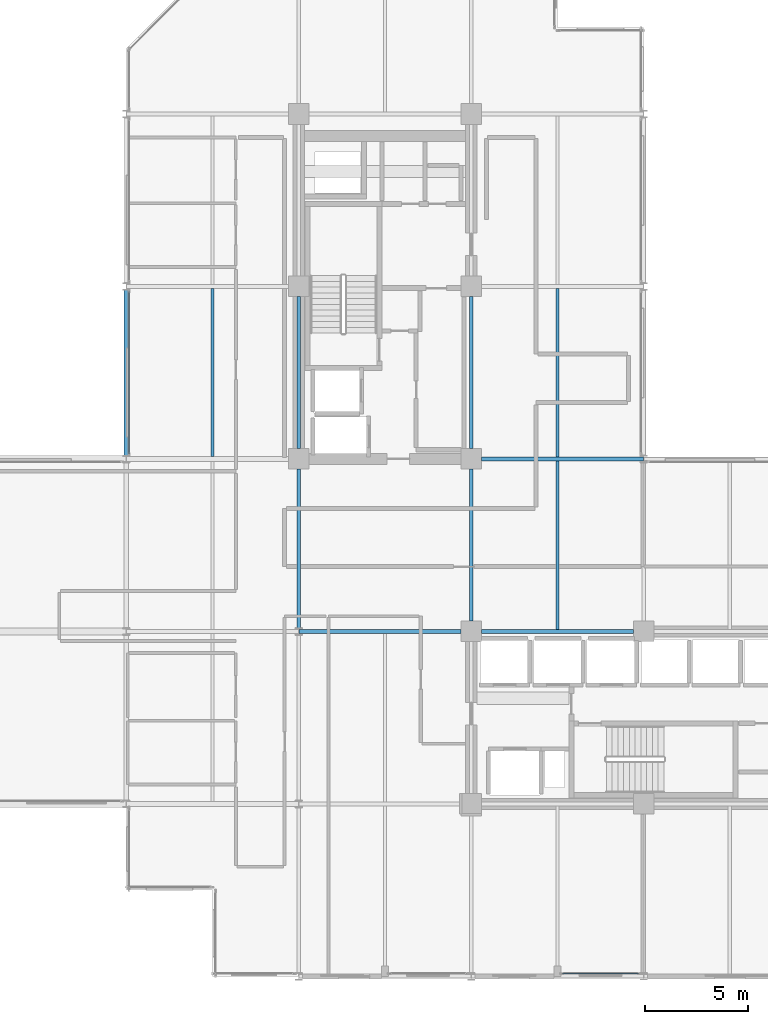
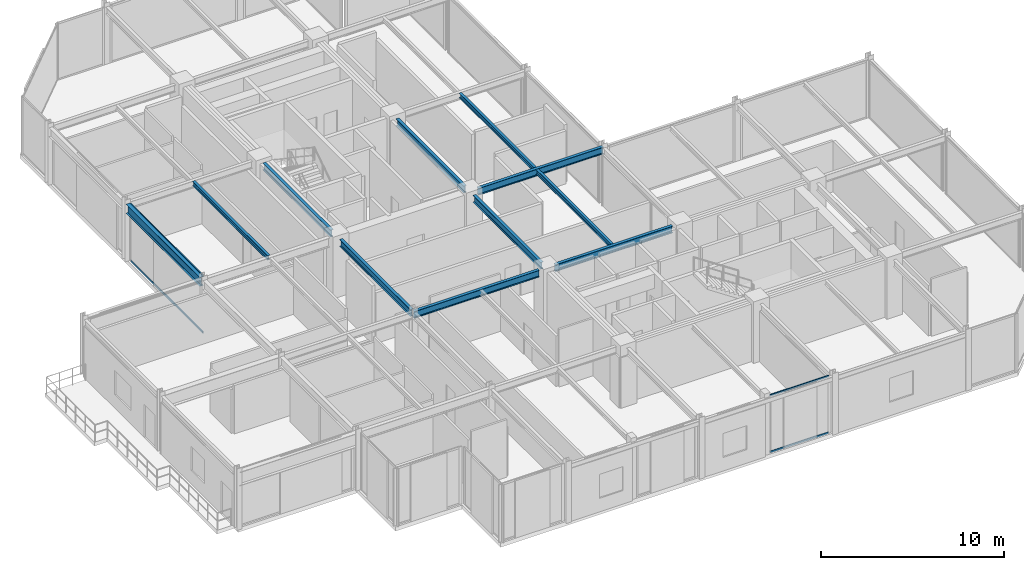
# One storey, part 10 of 29: 11 beams, 4 members, 2 elements without a shape of their own.
"""IFC4 building model written with IfcOpenShell, lengths in metres."""

from ifc_helpers import new_model, si_unit, direction, frame, origin, origin_2d, place, context, subcontext, project, spatial, hollow_rectangle, i_section, extrude, material, layer, layer_set, material_profile, profile_set, type_object, element, aggregate, save


model = new_model("IFC4")

# Units and contexts
model_context = context("Model", 3, precision=1e-05, world=origin(), true_north=direction((0.0, 1.0)))
body_context = subcontext(model_context, "Body", "Model", "MODEL_VIEW")
ifc_project = project(units=[si_unit("LENGTHUNIT", "METRE"), si_unit("AREAUNIT", "SQUARE_METRE"), si_unit("VOLUMEUNIT", "CUBIC_METRE"), si_unit("PLANEANGLEUNIT", "RADIAN"), si_unit("MASSUNIT", "GRAM", prefix="KILO")], contexts=[model_context])

# Site, building, storey
site_placement = place(None, origin())
site = spatial("IfcSite", under=ifc_project, at=site_placement, CompositionType="ELEMENT")
building_placement = place(site_placement, origin())
building = spatial("IfcBuilding", under=site, at=building_placement, Name="Nerrivon Quay Data Exchange", CompositionType="ELEMENT")
storey_placement = place(building_placement, frame((0.0, 0.0, 187.800048828125)))
storey = spatial("IfcBuildingStorey", under=building, at=storey_placement, Name="L44", CompositionType="ELEMENT", Elevation=187.800048828125)

# Beams
ifc_material_1 = material(Name="Steel Grade 350", Category="steel")
ifc_material_profile_1 = material_profile(ifc_material_1, i_section(OverallWidth=0.22802734375, OverallDepth=0.60205078125, WebThickness=0.010498046875, FlangeThickness=0.014892578125, FilletRadius=0.013916015625, at=origin_2d()), Name="610UB101")
ifc_profile_set_1 = profile_set([ifc_material_profile_1], Name="Steel Grade 350")
beam_type_1 = type_object("IfcBeamType", Name="BM-G2-610UB101", PredefinedType="BEAM", material=ifc_profile_set_1)
beam_1_placement = place(storey_placement, frame((0.0, 25.375, 3.52392578125), z_axis=(0.0, 1.0, 0.0), x_axis=(-1.0, 0.0, 0.0)))
element("IfcBeam", 1, at=beam_1_placement, inside=storey, type_object=beam_type_1, Name="L44 NS Girder X=0.0 (25.2..33.6)", PredefinedType="BEAM", context=body_context, shape_type="SweptSolid", body=[
    extrude(i_section(OverallWidth=0.22802734375, OverallDepth=0.60205078125, WebThickness=0.010498046875, FlangeThickness=0.014892578125, FilletRadius=0.013916015625, at=origin_2d()), origin(), (0.0, 0.0, 1.0), 8.050048828125),
])
ifc_material_profile_2 = material_profile(ifc_material_1, i_section(OverallWidth=0.19091796875, OverallDepth=0.4599609375, WebThickness=0.010009765625, FlangeThickness=0.01611328125, FilletRadius=0.011474609375, at=origin_2d()), Name="460UB82.1")
ifc_profile_set_2 = profile_set([ifc_material_profile_2], Name="Steel Grade 350")
beam_type_2 = type_object("IfcBeamType", Name="BM-G5-460UB82", PredefinedType="BEAM", material=ifc_profile_set_2)
beam_2_placement = place(storey_placement, frame((8.409912109375, 16.800048828125, 3.594970703125), z_axis=(1.0, 0.0, 0.0), x_axis=(0.0, 1.0, 0.0)))
element("IfcBeam", 2, at=beam_2_placement, inside=storey, type_object=beam_type_2, Name="L44 EW Girder Y=16.8 (8.4..16.8)", PredefinedType="BEAM", context=body_context, shape_type="SweptSolid", body=[
    extrude(i_section(OverallWidth=0.19091796875, OverallDepth=0.4599609375, WebThickness=0.010009765625, FlangeThickness=0.01611328125, FilletRadius=0.011474609375, at=origin_2d()), origin(), (0.0, 0.0, 1.0), 7.89013671875),
])
beam_3_placement = place(storey_placement, frame((17.300048828125, 16.800048828125, 3.594970703125), z_axis=(1.0, 0.0, 0.0), x_axis=(0.0, 1.0, 0.0)))
element("IfcBeam", 3, at=beam_3_placement, inside=storey, type_object=beam_type_2, Name="L44 EW Girder Y=16.8 (16.8..25.2)", PredefinedType="BEAM", context=body_context, shape_type="SweptSolid", body=[
    extrude(i_section(OverallWidth=0.19091796875, OverallDepth=0.4599609375, WebThickness=0.010009765625, FlangeThickness=0.01611328125, FilletRadius=0.011474609375, at=origin_2d()), origin(), (0.0, 0.0, 1.0), 7.39990234375),
])
beam_4_placement = place(storey_placement, frame((17.300048828125, 25.199951171875, 3.594970703125), z_axis=(1.0, 0.0, 0.0), x_axis=(0.0, 1.0, 0.0)))
element("IfcBeam", 4, at=beam_4_placement, inside=storey, type_object=beam_type_2, Name="L44 EW Girder Y=25.2 (16.8..25.2)", PredefinedType="BEAM", context=body_context, shape_type="SweptSolid", body=[
    extrude(i_section(OverallWidth=0.19091796875, OverallDepth=0.4599609375, WebThickness=0.010009765625, FlangeThickness=0.01611328125, FilletRadius=0.011474609375, at=origin_2d()), origin(), (0.0, 0.0, 1.0), 7.889892578125),
])
ifc_material_profile_3 = material_profile(ifc_material_1, i_section(OverallWidth=0.18994140625, OverallDepth=0.4541015625, WebThickness=0.008544921875, FlangeThickness=0.0126953125, FilletRadius=0.011474609375, at=origin_2d()), Name="460UB67.1")
ifc_profile_set_3 = profile_set([ifc_material_profile_3], Name="Steel Grade 350")
beam_type_3 = type_object("IfcBeamType", Name="BM-G6-460UB67", PredefinedType="BEAM", material=ifc_profile_set_3)
beam_5_placement = place(storey_placement, frame((8.39990234375, 16.97509765625, 3.597900390625), z_axis=(0.0, 1.0, 0.0), x_axis=(-1.0, 0.0, 0.0)))
element("IfcBeam", 5, at=beam_5_placement, inside=storey, type_object=beam_type_3, Name="L44 NS Girder X=8.4 (16.8..25.2)", PredefinedType="BEAM", context=body_context, shape_type="SweptSolid", body=[
    extrude(i_section(OverallWidth=0.18994140625, OverallDepth=0.4541015625, WebThickness=0.008544921875, FlangeThickness=0.0126953125, FilletRadius=0.011474609375, at=origin_2d()), origin(), (0.0, 0.0, 1.0), 7.724853515625),
])
beam_6_placement = place(storey_placement, frame((8.39990234375, 25.699951171875, 3.597900390625), z_axis=(0.0, 1.0, 0.0), x_axis=(-1.0, 0.0, 0.0)))
element("IfcBeam", 6, at=beam_6_placement, inside=storey, type_object=beam_type_3, Name="L44 NS Girder X=8.4 (25.2..33.6)", PredefinedType="BEAM", context=body_context, shape_type="SweptSolid", body=[
    extrude(i_section(OverallWidth=0.18994140625, OverallDepth=0.4541015625, WebThickness=0.008544921875, FlangeThickness=0.0126953125, FilletRadius=0.011474609375, at=origin_2d()), origin(), (0.0, 0.0, 1.0), 7.400146484375),
])
beam_7_placement = place(storey_placement, frame((16.800048828125, 17.300048828125, 3.597900390625), z_axis=(0.0, 1.0, 0.0), x_axis=(-1.0, 0.0, 0.0)))
element("IfcBeam", 7, at=beam_7_placement, inside=storey, type_object=beam_type_3, Name="L44 NS Girder X=16.8 (16.8..25.2)", PredefinedType="BEAM", context=body_context, shape_type="SweptSolid", body=[
    extrude(i_section(OverallWidth=0.18994140625, OverallDepth=0.4541015625, WebThickness=0.008544921875, FlangeThickness=0.0126953125, FilletRadius=0.011474609375, at=origin_2d()), origin(), (0.0, 0.0, 1.0), 7.39990234375),
])
beam_8_placement = place(storey_placement, frame((16.800048828125, 25.699951171875, 3.597900390625), z_axis=(0.0, 1.0, 0.0), x_axis=(-1.0, 0.0, 0.0)))
element("IfcBeam", 8, at=beam_8_placement, inside=storey, type_object=beam_type_3, Name="L44 NS Girder X=16.8 (25.2..33.6)", PredefinedType="BEAM", context=body_context, shape_type="SweptSolid", body=[
    extrude(i_section(OverallWidth=0.18994140625, OverallDepth=0.4541015625, WebThickness=0.008544921875, FlangeThickness=0.0126953125, FilletRadius=0.011474609375, at=origin_2d()), origin(), (0.0, 0.0, 1.0), 7.400146484375),
])
ifc_material_profile_4 = material_profile(ifc_material_1, i_section(OverallWidth=0.166015625, OverallDepth=0.306884765625, WebThickness=0.006591796875, FlangeThickness=0.01171875, FilletRadius=0.011474609375, at=origin_2d()), Name="310UB46.2")
ifc_profile_set_4 = profile_set([ifc_material_profile_4], Name="Steel Grade 350")
beam_type_4 = type_object("IfcBeamType", Name="BM-J5-310UB46", PredefinedType="JOIST", material=ifc_profile_set_4)
beam_9_placement = place(storey_placement, frame((4.199951171875, 25.314453125, 3.67138671875), z_axis=(0.0, 1.0, 0.0), x_axis=(-1.0, 0.0, 0.0)))
element("IfcBeam", 9, at=beam_9_placement, inside=storey, type_object=beam_type_4, Name="L44 Secondary Joist X=4.2 (25.2..33.6)", PredefinedType="JOIST", context=body_context, shape_type="SweptSolid", body=[
    extrude(i_section(OverallWidth=0.166015625, OverallDepth=0.306884765625, WebThickness=0.006591796875, FlangeThickness=0.01171875, FilletRadius=0.011474609375, at=origin_2d()), origin(), (0.0, 0.0, 1.0), 8.18994140625),
])
for number, where, z_axis, x_axis, name in (
    (10, (21.0, 16.8955078125, 3.67138671875), (0.0, 1.0, 0.0), (-1.0, 0.0, 0.0), "L44 Secondary Joist X=21.0 (16.8..25.2)"),
    (11, (21.0, 25.29541015625, 3.67138671875), (0.0, 1.0, 0.0), (-1.0, 0.0, 0.0), "L44 Secondary Joist X=21.0 (25.2..33.6)"),
):
    element("IfcBeam", number, at=place(storey_placement, frame(where, z_axis=z_axis, x_axis=x_axis)), inside=storey, type_object=beam_type_4, Name=name, PredefinedType="JOIST", context=body_context, shape_type="SweptSolid", body=[
        extrude(i_section(OverallWidth=0.166015625, OverallDepth=0.306884765625, WebThickness=0.006591796875, FlangeThickness=0.01171875, FilletRadius=0.011474609375, at=origin_2d()), origin(), (0.0, 0.0, 1.0), 8.208984375),
    ])

# Curtain wall, members
ifc_material_2 = material(Name="Anodised aluminium 6063-T6", Category="aluminium")
ifc_layer = layer(ifc_material_2, 0.195068359375)
ifc_layer_set = layer_set([ifc_layer], Name="Anodised aluminium 6063-T6")
curtain_wall_type = type_object("IfcCurtainWallType", Name="CW-SYS-06", PredefinedType="NOTDEFINED", material=ifc_layer_set)
curtain_wall_1_placement = place(storey_placement, origin())
curtain_wall_1 = element("IfcCurtainWall", 12, at=curtain_wall_1_placement, inside=storey, type_object=curtain_wall_type, Name="L44 Unitised Curtain Wall 4", PredefinedType="NOTDEFINED")
ifc_material_profile_5 = material_profile(ifc_material_2, hollow_rectangle(XDim=0.06005859375, YDim=0.1201171875, WallThickness=0.003173828125, at=origin_2d()), Name="ALU-TRAN-120x60")
ifc_profile_set_5 = profile_set([ifc_material_profile_5], Name="Anodised aluminium 6063-T6")
member_type = type_object("IfcMemberType", Name="CWT-120x60", PredefinedType="USERDEFINED", material=ifc_profile_set_5)
member_1_placement = place(storey_placement, frame((0.139892578125, 25.449951171875, 0.032470703125), z_axis=(0.0, 1.0, 0.0), x_axis=(-1.0, 0.0, 0.0)))
member_1 = element("IfcMember", 13, at=member_1_placement, type_object=member_type, Name="CW06 transom 1.1", ObjectType="TRANSOM", PredefinedType="USERDEFINED", context=body_context, shape_type="SweptSolid", body=[
    extrude(hollow_rectangle(XDim=0.06005859375, YDim=0.1201171875, WallThickness=0.003173828125, at=origin_2d()), origin(), (0.0, 0.0, 1.0), 7.900146484375),
])
member_2_placement = place(storey_placement, frame((0.139892578125, 25.449951171875, 3.79248046875), z_axis=(0.0, 1.0, 0.0), x_axis=(-1.0, 0.0, 0.0)))
member_2 = element("IfcMember", 14, at=member_2_placement, type_object=member_type, Name="CW06 transom 1.2", ObjectType="TRANSOM", PredefinedType="USERDEFINED", context=body_context, shape_type="SweptSolid", body=[
    extrude(hollow_rectangle(XDim=0.06005859375, YDim=0.1201171875, WallThickness=0.003173828125, at=origin_2d()), origin(), (0.0, 0.0, 1.0), 7.900146484375),
])
aggregate(curtain_wall_1, [member_1, member_2])

curtain_wall_2_placement = place(storey_placement, origin())
curtain_wall_2 = element("IfcCurtainWall", 15, at=curtain_wall_2_placement, inside=storey, type_object=curtain_wall_type, Name="L44 Unitised Curtain Wall 24", PredefinedType="NOTDEFINED")
member_3_placement = place(storey_placement, frame((24.949951171875, 0.139892578125, 0.032470703125), z_axis=(-1.0, 0.0, 0.0), x_axis=(0.0, -1.0, 0.0)))
member_3 = element("IfcMember", 16, at=member_3_placement, type_object=member_type, Name="CW06 transom 1.1", ObjectType="TRANSOM", PredefinedType="USERDEFINED", context=body_context, shape_type="SweptSolid", body=[
    extrude(hollow_rectangle(XDim=0.06005859375, YDim=0.1201171875, WallThickness=0.003173828125, at=origin_2d()), origin(), (0.0, 0.0, 1.0), 3.699951171875),
])
member_4_placement = place(storey_placement, frame((24.949951171875, 0.139892578125, 3.79248046875), z_axis=(-1.0, 0.0, 0.0), x_axis=(0.0, -1.0, 0.0)))
member_4 = element("IfcMember", 17, at=member_4_placement, type_object=member_type, Name="CW06 transom 1.2", ObjectType="TRANSOM", PredefinedType="USERDEFINED", context=body_context, shape_type="SweptSolid", body=[
    extrude(hollow_rectangle(XDim=0.06005859375, YDim=0.1201171875, WallThickness=0.003173828125, at=origin_2d()), origin(), (0.0, 0.0, 1.0), 3.699951171875),
])
aggregate(curtain_wall_2, [member_3, member_4])

save(model, "model.ifc")
